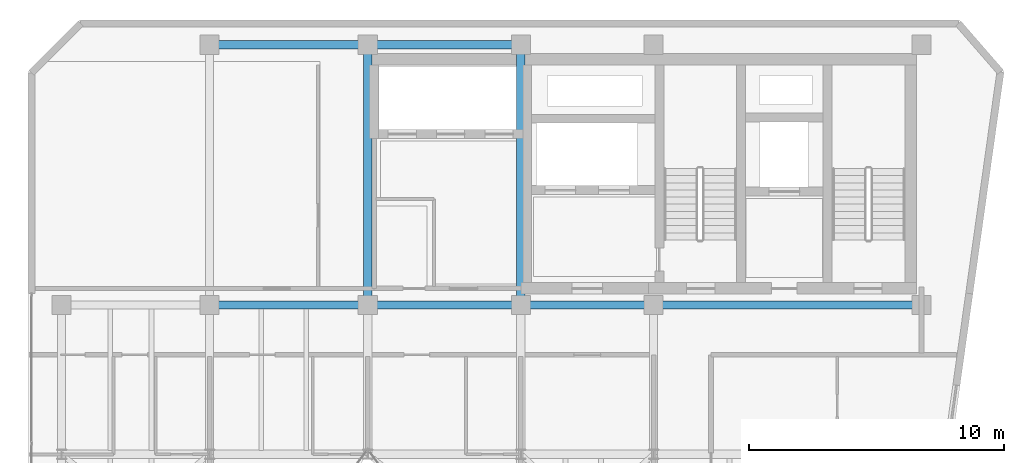
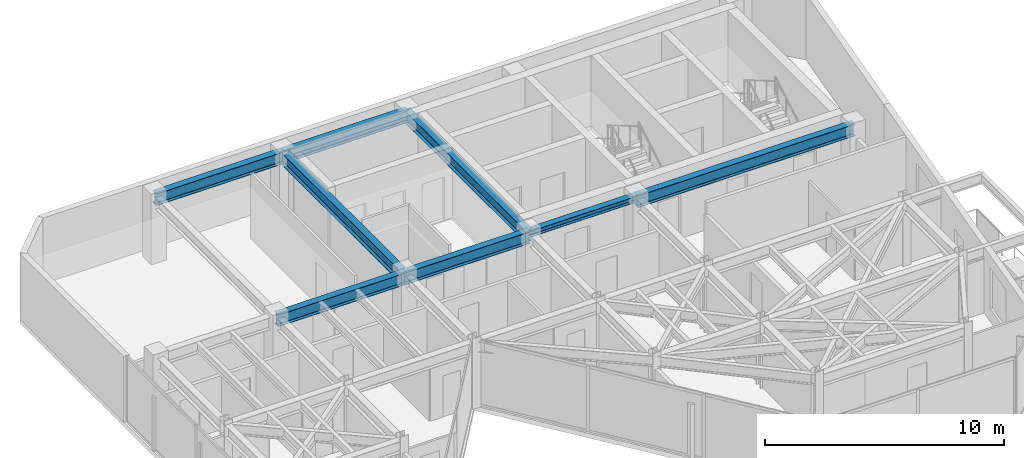
# One storey, part 11 of 17: 8 beams.
"""IFC4 building model written with IfcOpenShell, lengths in metres."""

from ifc_helpers import new_model, si_unit, direction, frame, origin, origin_2d, place, context, subcontext, project, spatial, i_section, extrude, material, material_profile, profile_set, type_object, element, save


model = new_model("IFC4")

# Units and contexts
model_context = context("Model", 3, precision=1e-05, world=origin(), true_north=direction((0.0, 1.0)))
body_context = subcontext(model_context, "Body", "Model", "MODEL_VIEW")
ifc_project = project(units=[si_unit("LENGTHUNIT", "METRE"), si_unit("AREAUNIT", "SQUARE_METRE"), si_unit("VOLUMEUNIT", "CUBIC_METRE"), si_unit("PLANEANGLEUNIT", "RADIAN"), si_unit("MASSUNIT", "GRAM", prefix="KILO")], contexts=[model_context])

# Site, building, storey
site_placement = place(None, origin())
site = spatial("IfcSite", under=ifc_project, at=site_placement, CompositionType="ELEMENT")
building_placement = place(site_placement, origin())
building = spatial("IfcBuilding", under=site, at=building_placement, Name="Kravanh Interchange Tower", CompositionType="ELEMENT")
storey_placement = place(building_placement, frame((0.0, 0.0, 282.300048828125)))
storey = spatial("IfcBuildingStorey", under=building, at=storey_placement, Name="L69", CompositionType="ELEMENT", Elevation=282.300048828125)

# Beams
ifc_material_1 = material(Name="Structural Steel S355", Category="steel")
ifc_material_profile_1 = material_profile(ifc_material_1, i_section(OverallWidth=0.323974609375, OverallDepth=0.611083984375, WebThickness=0.0126953125, FlangeThickness=0.01904296875, FilletRadius=0.02197265625, at=origin_2d()), Name="W24X104")
ifc_profile_set_1 = profile_set([ifc_material_profile_1], Name="Structural Steel S355")
beam_type_1 = type_object("IfcBeamType", Name="Floor Beam W24X104 Structural Steel S355", PredefinedType="BEAM", material=ifc_profile_set_1)
beam_1_placement = place(storey_placement, frame((66.5, 37.35009765625, 3.0595703125), z_axis=(-1.0, 0.0, 0.0), x_axis=(0.0, -1.0, 0.0)))
element("IfcBeam", 1, at=beam_1_placement, inside=storey, type_object=beam_type_1, Name="L69 Primary Floor Girder 38", PredefinedType="BEAM", context=body_context, shape_type="SweptSolid", body=[
    extrude(i_section(OverallWidth=0.323974609375, OverallDepth=0.611083984375, WebThickness=0.0126953125, FlangeThickness=0.01904296875, FilletRadius=0.02197265625, at=origin_2d()), origin(), (0.0, 0.0, 1.0), 10.5),
])
beam_2_placement = place(storey_placement, frame((50.800048828125, 47.550048828125, 3.0595703125), z_axis=(-1.0, 0.0, 0.0), x_axis=(0.0, -1.0, 0.0)))
element("IfcBeam", 2, at=beam_2_placement, inside=storey, type_object=beam_type_1, Name="L69 Primary Floor Girder 40", PredefinedType="BEAM", context=body_context, shape_type="SweptSolid", body=[
    extrude(i_section(OverallWidth=0.323974609375, OverallDepth=0.611083984375, WebThickness=0.0126953125, FlangeThickness=0.01904296875, FilletRadius=0.02197265625, at=origin_2d()), origin(), (0.0, 0.0, 1.0), 6.0),
])
beam_3_placement = place(storey_placement, frame((50.800048828125, 47.550048828125, 3.0595703125), z_axis=(0.0, -1.0, 0.0), x_axis=(1.0, 0.0, 0.0)))
element("IfcBeam", 3, at=beam_3_placement, inside=storey, type_object=beam_type_1, Name="L69 Primary Floor Girder 41", PredefinedType="BEAM", context=body_context, shape_type="SweptSolid", body=[
    extrude(i_section(OverallWidth=0.323974609375, OverallDepth=0.611083984375, WebThickness=0.0126953125, FlangeThickness=0.01904296875, FilletRadius=0.02197265625, at=origin_2d()), origin(), (0.0, 0.0, 1.0), 10.199951171875),
])
beam_4_placement = place(storey_placement, frame((50.800048828125, 37.35009765625, 3.0595703125), z_axis=(-1.0, 0.0, 0.0), x_axis=(0.0, -1.0, 0.0)))
element("IfcBeam", 4, at=beam_4_placement, inside=storey, type_object=beam_type_1, Name="L69 Primary Floor Girder 42", PredefinedType="BEAM", context=body_context, shape_type="SweptSolid", body=[
    extrude(i_section(OverallWidth=0.323974609375, OverallDepth=0.611083984375, WebThickness=0.0126953125, FlangeThickness=0.01904296875, FilletRadius=0.02197265625, at=origin_2d()), origin(), (0.0, 0.0, 1.0), 6.0),
])
beam_5_placement = place(storey_placement, frame((44.800048828125, 37.35009765625, 3.0595703125), z_axis=(-1.0, 0.0, 0.0), x_axis=(0.0, -1.0, 0.0)))
element("IfcBeam", 5, at=beam_5_placement, inside=storey, type_object=beam_type_1, Name="L69 Primary Floor Girder 43", PredefinedType="BEAM", context=body_context, shape_type="SweptSolid", body=[
    extrude(i_section(OverallWidth=0.323974609375, OverallDepth=0.611083984375, WebThickness=0.0126953125, FlangeThickness=0.01904296875, FilletRadius=0.02197265625, at=origin_2d()), origin(), (0.0, 0.0, 1.0), 6.199951171875),
])
beam_6_placement = place(storey_placement, frame((44.800048828125, 37.35009765625, 3.0595703125), z_axis=(0.0, 1.0, 0.0), x_axis=(-1.0, 0.0, 0.0)))
element("IfcBeam", 6, at=beam_6_placement, inside=storey, type_object=beam_type_1, Name="L69 Primary Floor Girder 44", PredefinedType="BEAM", context=body_context, shape_type="SweptSolid", body=[
    extrude(i_section(OverallWidth=0.323974609375, OverallDepth=0.611083984375, WebThickness=0.0126953125, FlangeThickness=0.01904296875, FilletRadius=0.02197265625, at=origin_2d()), origin(), (0.0, 0.0, 1.0), 10.199951171875),
])
beam_7_placement = place(storey_placement, frame((44.800048828125, 47.550048828125, 3.0595703125), z_axis=(-1.0, 0.0, 0.0), x_axis=(0.0, -1.0, 0.0)))
element("IfcBeam", 7, at=beam_7_placement, inside=storey, type_object=beam_type_1, Name="L69 Primary Floor Girder 45", PredefinedType="BEAM", context=body_context, shape_type="SweptSolid", body=[
    extrude(i_section(OverallWidth=0.323974609375, OverallDepth=0.611083984375, WebThickness=0.0126953125, FlangeThickness=0.01904296875, FilletRadius=0.02197265625, at=origin_2d()), origin(), (0.0, 0.0, 1.0), 6.199951171875),
])
ifc_material_2 = material(Name="Structural Steel S355", Category="steel")
ifc_material_profile_2 = material_profile(ifc_material_2, i_section(OverallWidth=0.304931640625, OverallDepth=0.306884765625, WebThickness=0.010009765625, FlangeThickness=0.015380859375, FilletRadius=0.014892578125, at=origin_2d()), Name="W12X65")
ifc_profile_set_2 = profile_set([ifc_material_profile_2], Name="Structural Steel S355")
beam_type_2 = type_object("IfcBeamType", Name="Floor Lintel W12X65 Structural Steel S355", PredefinedType="LINTEL", material=ifc_profile_set_2)
beam_8_placement = place(storey_placement, frame((50.800048828125, 37.35009765625, 3.21142578125), z_axis=(1.0, 0.0, 0.0), x_axis=(0.0, 1.0, 0.0)))
element("IfcBeam", 8, at=beam_8_placement, inside=storey, type_object=beam_type_2, Name="L69 Core Coupling Lintel 1", PredefinedType="LINTEL", context=body_context, shape_type="SweptSolid", body=[
    extrude(i_section(OverallWidth=0.304931640625, OverallDepth=0.306884765625, WebThickness=0.010009765625, FlangeThickness=0.015380859375, FilletRadius=0.014892578125, at=origin_2d()), origin(), (0.0, 0.0, 1.0), 5.199951171875),
])

save(model, "model.ifc")
